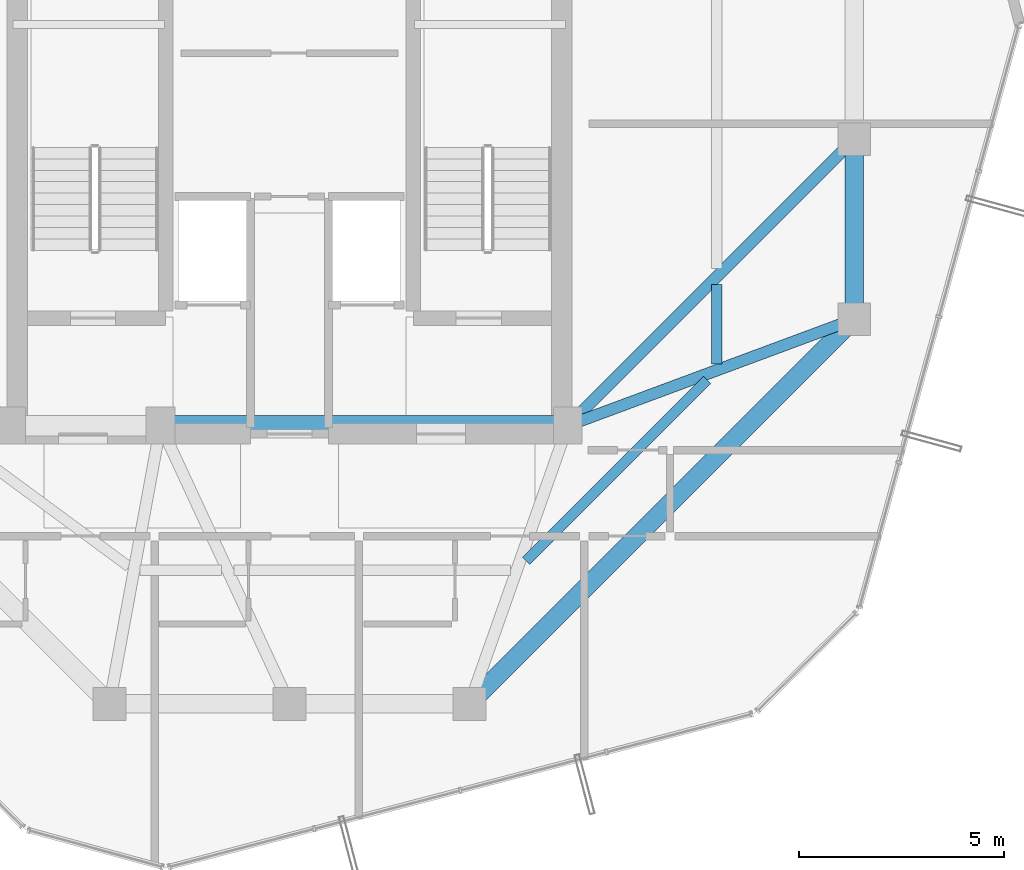
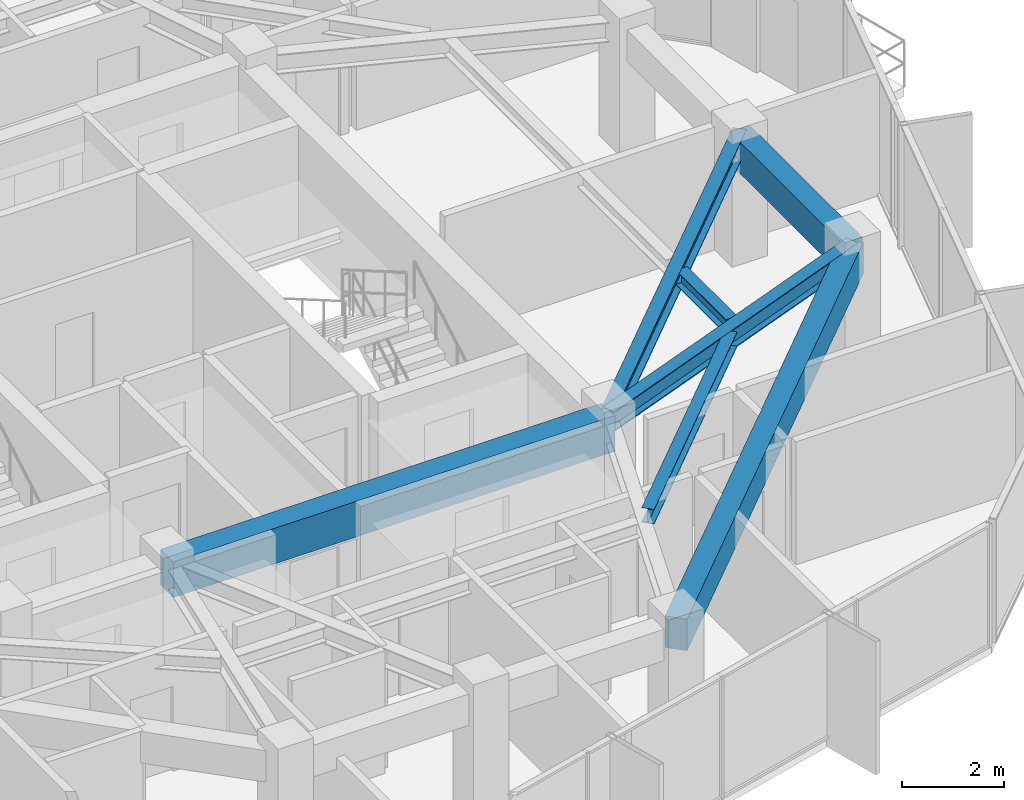
# One storey, part 11 of 29: 7 beams.
"""IFC4 building model written with IfcOpenShell, lengths in metres."""

from ifc_helpers import new_model, si_unit, direction, frame, origin, origin_2d, place, context, subcontext, project, spatial, rectangle, i_section, extrude, material, material_profile, profile_set, type_object, element, save


model = new_model("IFC4")

# Units and contexts
model_context = context("Model", 3, precision=1e-05, world=origin(), true_north=direction((0.0, 1.0)))
body_context = subcontext(model_context, "Body", "Model", "MODEL_VIEW")
ifc_project = project(units=[si_unit("LENGTHUNIT", "METRE"), si_unit("AREAUNIT", "SQUARE_METRE"), si_unit("VOLUMEUNIT", "CUBIC_METRE"), si_unit("PLANEANGLEUNIT", "RADIAN"), si_unit("MASSUNIT", "GRAM", prefix="KILO")], contexts=[model_context])

# Site, building, storey
site_placement = place(None, origin())
site = spatial("IfcSite", under=ifc_project, at=site_placement, CompositionType="ELEMENT")
building_placement = place(site_placement, origin())
building = spatial("IfcBuilding", under=site, at=building_placement, Name="Veraguas Prism Commons", CompositionType="ELEMENT")
storey_placement = place(building_placement, frame((0.0, 0.0, 261.0)))
storey = spatial("IfcBuildingStorey", under=building, at=storey_placement, Name="L74", CompositionType="ELEMENT", Elevation=261.0)

# Beams
ifc_material_1 = material(Name="Concrete C50/60", Category="concrete")
ifc_material_profile_1 = material_profile(ifc_material_1, rectangle(XDim=0.5, YDim=0.85009765625, at=origin_2d()), Name="RC500X850")
ifc_profile_set_1 = profile_set([ifc_material_profile_1], Name="Concrete C50/60")
beam_type_1 = type_object("IfcBeamType", Name="Core Coupling Beam RC 500x850", PredefinedType="BEAM", material=ifc_profile_set_1)
beam_1_placement = place(storey_placement, frame((20.85009765625, 17.0, 2.5048828125), z_axis=(1.0, 0.0, 0.0), x_axis=(0.0, 1.0, 0.0)))
element("IfcBeam", 1, at=beam_1_placement, inside=storey, type_object=beam_type_1, Name="Core Coupling Beam L74-CRS2", PredefinedType="BEAM", context=body_context, shape_type="SweptSolid", body=[
    extrude(rectangle(XDim=0.5, YDim=0.85009765625, at=origin_2d()), origin(), (0.0, 0.0, 1.0), 9.949951171875),
])
ifc_material_profile_2 = material_profile(ifc_material_1, rectangle(XDim=0.449951171875, YDim=0.75, at=origin_2d()), Name="RC450X750")
ifc_profile_set_2 = profile_set([ifc_material_profile_2], Name="Concrete C50/60")
beam_type_2 = type_object("IfcBeamType", Name="Perimeter Spandrel Upper RC 450x750", PredefinedType="SPANDREL", material=ifc_profile_set_2)
beam_2_placement = place(storey_placement, frame((37.800048828125, 19.60009765625, 2.554931640625), z_axis=(0.0, 1.0, 0.0), x_axis=(-1.0, 0.0, 0.0)))
element("IfcBeam", 2, at=beam_2_placement, inside=storey, type_object=beam_type_2, Name="Perimeter Spandrel Beam L74-SP01", PredefinedType="SPANDREL", context=body_context, shape_type="SweptSolid", body=[
    extrude(rectangle(XDim=0.449951171875, YDim=0.75, at=origin_2d()), origin(), (0.0, 0.0, 1.0), 4.39990234375),
])
beam_3_placement = place(storey_placement, frame((28.39990234375, 10.199951171875, 2.554931640625), z_axis=(0.707106781187, 0.707106781187, 0.0), x_axis=(-0.707106781187, 0.707106781187, 0.0)))
element("IfcBeam", 3, at=beam_3_placement, inside=storey, type_object=beam_type_2, Name="Perimeter Spandrel Beam L74-SP12", PredefinedType="SPANDREL", context=body_context, shape_type="SweptSolid", body=[
    extrude(rectangle(XDim=0.449951171875, YDim=0.75, at=origin_2d()), origin(), (0.0, 0.0, 1.0), 13.293701171875),
])
ifc_material_2 = material(Name="Steel ASTM A992 Grade 50", Category="steel")
ifc_material_profile_3 = material_profile(ifc_material_2, i_section(OverallWidth=0.25390625, OverallDepth=0.35302734375, WebThickness=0.009521484375, FlangeThickness=0.016357421875, at=origin_2d()), Name="W360X91")
ifc_profile_set_3 = profile_set([ifc_material_profile_3], Name="Steel ASTM A992 Grade 50")
beam_type_3 = type_object("IfcBeamType", Name="Upper Floor Joist W360x91", PredefinedType="JOIST", material=ifc_profile_set_3)
beam_4_placement = place(storey_placement, frame((34.43994140625, 18.500732421875, 2.75341796875), z_axis=(0.0, 1.0, 0.0), x_axis=(-1.0, 0.0, 0.0)))
element("IfcBeam", 4, at=beam_4_placement, inside=storey, type_object=beam_type_3, Name="Composite Floor Joist L74-JS01", PredefinedType="JOIST", context=body_context, shape_type="SweptSolid", body=[
    extrude(i_section(OverallWidth=0.25390625, OverallDepth=0.35302734375, WebThickness=0.009521484375, FlangeThickness=0.016357421875, at=origin_2d()), origin(), (0.0, 0.0, 1.0), 1.94189453125),
])
beam_5_placement = place(storey_placement, frame((29.780517578125, 13.692626953125, 2.75341796875), z_axis=(0.707126297541, 0.707087264294, 0.0), x_axis=(-0.707087264294, 0.707126297541, 0.0)))
element("IfcBeam", 5, at=beam_5_placement, inside=storey, type_object=beam_type_3, Name="Composite Floor Joist L74-JS12", PredefinedType="JOIST", context=body_context, shape_type="SweptSolid", body=[
    extrude(i_section(OverallWidth=0.25390625, OverallDepth=0.35302734375, WebThickness=0.009521484375, FlangeThickness=0.016357421875, at=origin_2d()), origin(), (0.0, 0.0, 1.0), 6.254638671875),
])
ifc_material_profile_4 = material_profile(ifc_material_2, i_section(OverallWidth=0.282958984375, OverallDepth=0.471923828125, WebThickness=0.013671875, FlangeThickness=0.022216796875, at=origin_2d()), Name="W460X144")
ifc_profile_set_4 = profile_set([ifc_material_profile_4], Name="Steel ASTM A992 Grade 50")
beam_type_4 = type_object("IfcBeamType", Name="Zone 4 Radial Girder W460x144", PredefinedType="BEAM", material=ifc_profile_set_4)
beam_6_placement = place(storey_placement, frame((37.800048828125, 19.60009765625, 2.694091796875), z_axis=(-0.937421003341, -0.348198021958, 0.0), x_axis=(0.348198021958, -0.937421003341, 0.0)))
element("IfcBeam", 6, at=beam_6_placement, inside=storey, type_object=beam_type_4, Name="Radial Floor Girder L74-RD01", PredefinedType="BEAM", context=body_context, shape_type="SweptSolid", body=[
    extrude(i_section(OverallWidth=0.282958984375, OverallDepth=0.471923828125, WebThickness=0.013671875, FlangeThickness=0.022216796875, at=origin_2d()), origin(), (0.0, 0.0, 1.0), 7.46728515625),
])
beam_7_placement = place(storey_placement, frame((37.800048828125, 24.0, 2.694091796875), z_axis=(-0.707106781187, -0.707106781187, 0.0), x_axis=(0.707106781187, -0.707106781187, 0.0)))
element("IfcBeam", 7, at=beam_7_placement, inside=storey, type_object=beam_type_4, Name="Radial Floor Girder L74-RD02", PredefinedType="BEAM", context=body_context, shape_type="SweptSolid", body=[
    extrude(i_section(OverallWidth=0.282958984375, OverallDepth=0.471923828125, WebThickness=0.013671875, FlangeThickness=0.022216796875, at=origin_2d()), origin(), (0.0, 0.0, 1.0), 9.8994140625),
])

save(model, "model.ifc")
